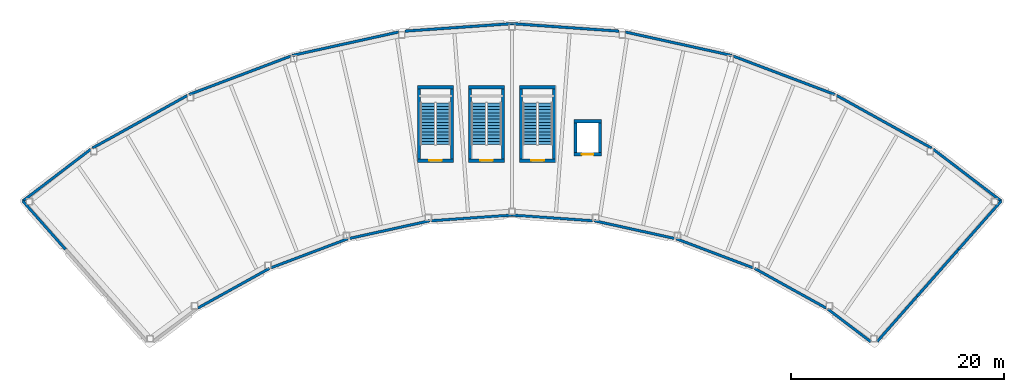
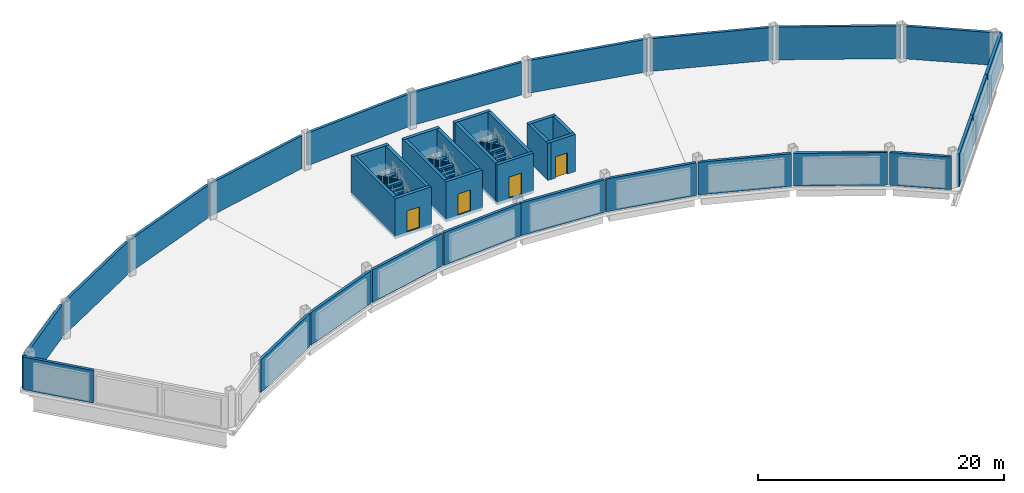
# One storey, part 4 of 5: 39 walls, 6 stair flights, 4 doors, 4 openings, 3 elements without a shape of their own.
"""IFC4 building model written with IfcOpenShell, lengths in metres."""

import ifcopenshell
import ifcopenshell.guid

model = None  # the IFC model being written
_history = None  # IfcOwnerHistory: only IFC2X3 demands one
_inside = {}  # id of a spatial element -> (the spatial element, [elements in it])
_under = {}  # id of a project, library or spatial element -> (it, [spatial elements below it])
_declared = {}  # id of a project -> (the project, [libraries it declares])
_typed = {}  # id of a type object -> (the type object, [elements of that type])
_made_of = {}  # id of a material, layer set ... -> (it, [elements and type objects made of it])


def new_model(schema):
    """Start an empty IFC model of exactly this schema.

    Asked for "IFC4X3", IfcOpenShell would pick the latest addendum, in which some entities
    have other attributes; the version numbers below select the first issue.
    IFC2X3 requires an IfcOwnerHistory on every rooted entity: one is made here for all.
    """
    global model, _history
    if schema == "IFC4X3":
        model = ifcopenshell.file(schema_version=(4, 3, 0, 0))
    else:
        model = ifcopenshell.file(schema=schema)
    _inside.clear()
    _under.clear()
    _declared.clear()
    _typed.clear()
    _made_of.clear()
    _history = None
    if model.schema == "IFC2X3":
        org = make("IfcOrganization", Name="unknown")
        user = make(
            "IfcPersonAndOrganization",
            ThePerson=make("IfcPerson", FamilyName="unknown"),
            TheOrganization=org,
        )
        app = make(
            "IfcApplication",
            ApplicationDeveloper=org,
            Version="unknown",
            ApplicationFullName="unknown",
            ApplicationIdentifier="unknown",
        )
        _history = make(
            "IfcOwnerHistory",
            OwningUser=user,
            OwningApplication=app,
            ChangeAction="ADDED",
            CreationDate=0,
        )
    return model


def make(cls, **values):
    """One entity of the class cls with the attributes given. An attribute that is None is left unset."""
    return model.create_entity(
        cls, **{name: value for name, value in values.items() if value is not None}
    )


def rooted(cls, **values):
    """An entity with a GlobalId (a new one), such as an element, a storey or a relation."""
    return make(cls, GlobalId=ifcopenshell.guid.new(), OwnerHistory=_history, **values)


def si_unit(unit_type, name, prefix=None):
    """IfcSIUnit, for example si_unit("LENGTHUNIT", "METRE", prefix="MILLI")."""
    return make("IfcSIUnit", UnitType=unit_type, Prefix=prefix, Name=name)


def assignment(units):
    """IfcUnitAssignment: the units of a project."""
    return None if units is None else make("IfcUnitAssignment", Units=units)


def point(xyz):
    """IfcCartesianPoint."""
    return None if xyz is None else make("IfcCartesianPoint", Coordinates=xyz)


def direction(xyz):
    """IfcDirection."""
    return None if xyz is None else make("IfcDirection", DirectionRatios=xyz)


def frame(location, z_axis=None, x_axis=None):
    """IfcAxis2Placement3D, a coordinate frame: its origin and axes. An axis left out is left unset."""
    return make(
        "IfcAxis2Placement3D",
        Location=point(location),
        Axis=direction(z_axis),
        RefDirection=direction(x_axis),
    )


def frame_2d(location, x_axis=None):
    """IfcAxis2Placement2D, a coordinate frame in the plane: its origin and x axis."""
    return make(
        "IfcAxis2Placement2D", Location=point(location), RefDirection=direction(x_axis)
    )


def origin():
    """The frame at (0, 0, 0) with its axes left unset."""
    return frame((0.0, 0.0, 0.0))


def place(relative_to, where):
    """IfcLocalPlacement: puts the frame where relative to a parent placement (None: the world)."""
    return make(
        "IfcLocalPlacement", PlacementRelTo=relative_to, RelativePlacement=where
    )


def context(
    kind, dimensions, precision=None, world=None, true_north=None, identifier=None
):
    """IfcGeometricRepresentationContext, for example the 3D "Model" context."""
    return make(
        "IfcGeometricRepresentationContext",
        ContextIdentifier=identifier,
        ContextType=kind,
        CoordinateSpaceDimension=dimensions,
        Precision=precision,
        WorldCoordinateSystem=world,
        TrueNorth=true_north,
    )


def subcontext(parent, identifier, kind, view, scale=None):
    """IfcGeometricRepresentationSubContext, for example "Body" below "Model"."""
    return make(
        "IfcGeometricRepresentationSubContext",
        ContextIdentifier=identifier,
        ContextType=kind,
        ParentContext=parent,
        TargetScale=scale,
        TargetView=view,
    )


def project(units=None, contexts=None):
    """IfcProject with its units and contexts."""
    return rooted(
        "IfcProject",
        Name="project",
        RepresentationContexts=contexts,
        UnitsInContext=assignment(units),
    )


def spatial(cls, under=None, at=None, **own):
    """A site, building, storey or space (cls), placed at a placement, below another one or the project."""
    s = rooted(cls, ObjectPlacement=at, **own)
    if under is not None:
        _under.setdefault(under.id(), (under, []))[1].append(s)
    return s


def polyline(points):
    """IfcPolyline through the points."""
    return make("IfcPolyline", Points=[point(p) for p in points])


def profile(cls, at=None, kind="AREA", **sizes):
    """A parametric profile (cls). Its sizes go by their IFC names, for example OverallWidth=200.0."""
    return make(cls, ProfileType=kind, Position=at, **sizes)


def rectangle(**sizes):
    """IfcRectangleProfileDef."""
    return profile("IfcRectangleProfileDef", **sizes)


def outline(outer, holes=None, kind="AREA"):
    """IfcArbitraryClosedProfileDef: a profile drawn as a closed curve; with holes, ...WithVoids."""
    if holes is None:
        return make("IfcArbitraryClosedProfileDef", ProfileType=kind, OuterCurve=outer)
    return make(
        "IfcArbitraryProfileDefWithVoids",
        ProfileType=kind,
        OuterCurve=outer,
        InnerCurves=holes,
    )


def extrude(swept, where, along, depth):
    """IfcExtrudedAreaSolid: the profile swept, set in the frame where, extruded along a direction by depth."""
    return make(
        "IfcExtrudedAreaSolid",
        SweptArea=swept,
        Position=where,
        ExtrudedDirection=direction(along),
        Depth=depth,
    )


def shape(context_of_items, identifier, shape_type, items):
    """IfcShapeRepresentation: the items that make up one representation, for example the "Body"."""
    return make(
        "IfcShapeRepresentation",
        ContextOfItems=context_of_items,
        RepresentationIdentifier=identifier,
        RepresentationType=shape_type,
        Items=items,
    )


def material(Name=None, Category=None):
    """IfcMaterial."""
    return make("IfcMaterial", Name=Name, Category=Category)


def layer(
    of_material, thickness, ventilated=None, Name=None, Category=None, Priority=None
):
    """IfcMaterialLayer: one layer of a wall or slab, of a material (None: an air gap)."""
    return make(
        "IfcMaterialLayer",
        Material=of_material,
        LayerThickness=thickness,
        IsVentilated=ventilated,
        Name=Name,
        Category=Category,
        Priority=Priority,
    )


def layer_set(layers, Name=None):
    """IfcMaterialLayerSet."""
    return make("IfcMaterialLayerSet", MaterialLayers=layers, LayerSetName=Name)


def made_of(thing, what):
    """Note that an element or type object is made of a material, layer set ...; save() writes the relation."""
    if what is not None:
        _made_of.setdefault(what.id(), (what, []))[1].append(thing)
    return thing


def type_object(cls, material=None, **own):
    """A type object (cls), such as IfcWallType, which elements share."""
    return made_of(rooted(cls, **own), material)


def element(
    cls,
    number,
    at=None,
    inside=None,
    cuts=None,
    type_object=None,
    material=None,
    context=None,
    identifier="Body",
    shape_type=None,
    held_by="IfcProductDefinitionShape",
    body=None,
    shapes=None,
    **own,
):
    """One element of the class cls, such as IfcWall. Its Tag is "e" and its number.

    at: its placement. inside: the storey or other place that contains it. cuts: it is an
    opening in that element (IfcRelVoidsElement). A single representation is given by context,
    identifier, shape_type and body (its items); several are given by shapes. held_by: the class
    of the entity that holds the representations. save() writes the other relations.
    """
    e = rooted(cls, Tag="e%d" % number, ObjectPlacement=at, **own)
    if body is not None:
        shapes = [shape(context, identifier, shape_type, body)]
    if shapes is not None:
        e.Representation = make(held_by, Representations=shapes)
    if inside is not None:
        _inside.setdefault(inside.id(), (inside, []))[1].append(e)
    if cuts is not None:
        rooted(
            "IfcRelVoidsElement", RelatingBuildingElement=cuts, RelatedOpeningElement=e
        )
    if type_object is not None:
        _typed.setdefault(type_object.id(), (type_object, []))[1].append(e)
    return made_of(e, material)


def fill(opening, filler):
    """IfcRelFillsElement: the door or window that sits in an opening."""
    return rooted(
        "IfcRelFillsElement",
        RelatingOpeningElement=opening,
        RelatedBuildingElement=filler,
    )


def aggregate(whole, parts):
    """IfcRelAggregates: a whole, such as a stair, and the parts it consists of."""
    return rooted("IfcRelAggregates", RelatingObject=whole, RelatedObjects=parts)


def save(model, path):
    """Write the relations noted so far, then the file.

    IfcRelAggregates (storeys below a building ...), IfcRelContainedInSpatialStructure (elements
    in a storey), IfcRelDefinesByType, IfcRelAssociatesMaterial and IfcRelDeclares: one each for
    every whole, place, type object, material and project.
    """
    for whole, parts in _under.values():
        aggregate(whole, parts)
    for where, things in _inside.values():
        rooted(
            "IfcRelContainedInSpatialStructure",
            RelatedElements=things,
            RelatingStructure=where,
        )
    for kind, things in _typed.values():
        rooted("IfcRelDefinesByType", RelatedObjects=things, RelatingType=kind)
    for what, things in _made_of.values():
        rooted("IfcRelAssociatesMaterial", RelatedObjects=things, RelatingMaterial=what)
    for by, libraries in _declared.values():
        rooted("IfcRelDeclares", RelatingContext=by, RelatedDefinitions=libraries)
    model.write(path)


model = new_model("IFC4")

# Units and contexts
model_context = context("Model", 3, precision=1e-05, world=origin(), true_north=direction((0.0, 1.0)))
body_context = subcontext(model_context, "Body", "Model", "MODEL_VIEW")
ifc_project = project(units=[si_unit("LENGTHUNIT", "METRE"), si_unit("AREAUNIT", "SQUARE_METRE"), si_unit("VOLUMEUNIT", "CUBIC_METRE"), si_unit("PLANEANGLEUNIT", "RADIAN"), si_unit("MASSUNIT", "GRAM", prefix="KILO")], contexts=[model_context])

# Site, building, storey
site_placement = place(None, origin())
site = spatial("IfcSite", under=ifc_project, at=site_placement, CompositionType="ELEMENT")
building_placement = place(site_placement, origin())
building = spatial("IfcBuilding", under=site, at=building_placement, Name="Tuul Gate Civic Tower", CompositionType="ELEMENT")
storey_placement = place(building_placement, frame((0.0, 0.0, 364.10009765625)))
storey = spatial("IfcBuildingStorey", under=building, at=storey_placement, Name="Crown tier 1 upper", CompositionType="ELEMENT", Elevation=364.10009765625)

# Walls
ifc_material_1 = material(Name="Concrete C50/60", Category="concrete")
ifc_layer_1 = layer(ifc_material_1, 0.300048828125)
ifc_layer_set_1 = layer_set([ifc_layer_1], Name="Concrete C50/60")
wall_type_1 = type_object("IfcWallType", Name="Core wall C50/60", PredefinedType="SHEAR", material=ifc_layer_set_1)
for number, where, z_axis, x_axis, name in (
    (1, (-3.449951171875, -0.89990234375, -0.300048828125), (0.0, 0.0, 1.0), (0.0, 1.0, 0.0), "Core wall"),
    (2, (-6.550048828125, 6.300048828125, -0.300048828125), (0.0, 0.0, 1.0), (0.0, -1.0, 0.0), "Core wall"),
):
    element("IfcWall", number, at=place(storey_placement, frame(where, z_axis=z_axis, x_axis=x_axis)), inside=storey, type_object=wall_type_1, Name=name, PredefinedType="SHEAR", context=body_context, shape_type="SweptSolid", body=[
        extrude(rectangle(XDim=7.199951171875, YDim=0.300048828125, at=frame_2d((3.60009765625, 0.0))), origin(), (0.0, 0.0, 1.0), 4.0),
    ])
wall_1_placement = place(storey_placement, frame((-3.300048828125, 6.14990234375, -0.300048828125), z_axis=(0.0, 0.0, 1.0), x_axis=(-1.0, 0.0, 0.0)))
element("IfcWall", 3, at=wall_1_placement, inside=storey, type_object=wall_type_1, Name="Core wall", PredefinedType="SHEAR", context=body_context, shape_type="SweptSolid", body=[
    extrude(rectangle(XDim=3.39990234375, YDim=0.300048828125, at=frame_2d((1.699951171875, 0.0))), origin(), (0.0, 0.0, 1.0), 4.0),
])

# Wall, opening, door
wall_2_placement = place(storey_placement, frame((-3.300048828125, -0.75, -0.300048828125), z_axis=(0.0, 0.0, 1.0), x_axis=(-1.0, 0.0, 0.0)))
wall_2 = element("IfcWall", 4, at=wall_2_placement, inside=storey, type_object=wall_type_1, Name="Core wall", PredefinedType="SHEAR", context=body_context, shape_type="SweptSolid", body=[
    extrude(rectangle(XDim=3.39990234375, YDim=0.300048828125, at=frame_2d((1.699951171875, 0.0))), origin(), (0.0, 0.0, 1.0), 4.0),
])
opening_1_placement = place(wall_2_placement, frame((1.10009765625, 0.0, 0.300048828125)))
opening_1 = element("IfcOpeningElement", 5, at=opening_1_placement, cuts=wall_2, Name="Opening SD-ST-5", PredefinedType="OPENING", context=body_context, shape_type="SweptSolid", body=[
    extrude(rectangle(XDim=1.199951171875, YDim=2.10009765625, at=frame_2d((0.60009765625, 1.050048828125))), frame((0.0, 0.16015625, 0.0), z_axis=(0.0, -1.0, 0.0), x_axis=(1.0, 0.0, 0.0)), (0.0, 0.0, 1.0), 0.320068359375),
])
ifc_material_2 = material(Name="Steel", Category="steel")
door_type_1 = type_object("IfcDoorType", Name="Stair door", OperationType="NOTDEFINED", PredefinedType="DOOR", material=ifc_material_2)
door_1_placement = place(opening_1_placement, origin())
door_1 = element("IfcDoor", 6, at=door_1_placement, inside=storey, type_object=door_type_1, Name="Stair door ST-5", OperationType="SINGLE_SWING_LEFT", OverallHeight=2.10009765625, OverallWidth=1.199951171875, PredefinedType="DOOR", context=body_context, shape_type="SweptSolid", body=[
    extrude(rectangle(XDim=1.199951171875, YDim=2.10009765625, at=frame_2d((0.60009765625, 1.050048828125))), frame((0.0, 0.02490234375, 0.0), z_axis=(0.0, -1.0, 0.0), x_axis=(1.0, 0.0, 0.0)), (0.0, 0.0, 1.0), 0.050048828125),
])
fill(opening_1, door_1)

# Walls
for number, where, z_axis, x_axis, name in (
    (7, (1.35009765625, -0.89990234375, -0.300048828125), (0.0, 0.0, 1.0), (0.0, 1.0, 0.0), "Core wall"),
    (8, (-1.75, 6.300048828125, -0.300048828125), (0.0, 0.0, 1.0), (0.0, -1.0, 0.0), "Core wall"),
):
    element("IfcWall", number, at=place(storey_placement, frame(where, z_axis=z_axis, x_axis=x_axis)), inside=storey, type_object=wall_type_1, Name=name, PredefinedType="SHEAR", context=body_context, shape_type="SweptSolid", body=[
        extrude(rectangle(XDim=7.199951171875, YDim=0.300048828125, at=frame_2d((3.60009765625, 0.0))), origin(), (0.0, 0.0, 1.0), 4.0),
    ])
wall_3_placement = place(storey_placement, frame((1.5, 6.14990234375, -0.300048828125), z_axis=(0.0, 0.0, 1.0), x_axis=(-1.0, 0.0, 0.0)))
element("IfcWall", 9, at=wall_3_placement, inside=storey, type_object=wall_type_1, Name="Core wall", PredefinedType="SHEAR", context=body_context, shape_type="SweptSolid", body=[
    extrude(rectangle(XDim=3.39990234375, YDim=0.300048828125, at=frame_2d((1.699951171875, 0.0))), origin(), (0.0, 0.0, 1.0), 4.0),
])

# Wall, opening, door
wall_4_placement = place(storey_placement, frame((1.5, -0.75, -0.300048828125), z_axis=(0.0, 0.0, 1.0), x_axis=(-1.0, 0.0, 0.0)))
wall_4 = element("IfcWall", 10, at=wall_4_placement, inside=storey, type_object=wall_type_1, Name="Core wall", PredefinedType="SHEAR", context=body_context, shape_type="SweptSolid", body=[
    extrude(rectangle(XDim=3.39990234375, YDim=0.300048828125, at=frame_2d((1.699951171875, 0.0))), origin(), (0.0, 0.0, 1.0), 4.0),
])
opening_2_placement = place(wall_4_placement, frame((1.10009765625, 0.0, 0.300048828125)))
opening_2 = element("IfcOpeningElement", 11, at=opening_2_placement, cuts=wall_4, Name="Opening SD-ST-6", PredefinedType="OPENING", context=body_context, shape_type="SweptSolid", body=[
    extrude(rectangle(XDim=1.199951171875, YDim=2.10009765625, at=frame_2d((0.60009765625, 1.050048828125))), frame((0.0, 0.16015625, 0.0), z_axis=(0.0, -1.0, 0.0), x_axis=(1.0, 0.0, 0.0)), (0.0, 0.0, 1.0), 0.320068359375),
])
door_2_placement = place(opening_2_placement, origin())
door_2 = element("IfcDoor", 12, at=door_2_placement, inside=storey, type_object=door_type_1, Name="Stair door ST-6", OperationType="SINGLE_SWING_LEFT", OverallHeight=2.10009765625, OverallWidth=1.199951171875, PredefinedType="DOOR", context=body_context, shape_type="SweptSolid", body=[
    extrude(rectangle(XDim=1.199951171875, YDim=2.10009765625, at=frame_2d((0.60009765625, 1.050048828125))), frame((0.0, 0.02490234375, 0.0), z_axis=(0.0, -1.0, 0.0), x_axis=(1.0, 0.0, 0.0)), (0.0, 0.0, 1.0), 0.050048828125),
])
fill(opening_2, door_2)

# Walls
for number, where, z_axis, x_axis, name in (
    (13, (6.14990234375, -0.89990234375, -0.300048828125), (0.0, 0.0, 1.0), (0.0, 1.0, 0.0), "Core wall"),
    (14, (3.050048828125, 6.300048828125, -0.300048828125), (0.0, 0.0, 1.0), (0.0, -1.0, 0.0), "Core wall"),
):
    element("IfcWall", number, at=place(storey_placement, frame(where, z_axis=z_axis, x_axis=x_axis)), inside=storey, type_object=wall_type_1, Name=name, PredefinedType="SHEAR", context=body_context, shape_type="SweptSolid", body=[
        extrude(rectangle(XDim=7.199951171875, YDim=0.300048828125, at=frame_2d((3.60009765625, 0.0))), origin(), (0.0, 0.0, 1.0), 4.0),
    ])
wall_5_placement = place(storey_placement, frame((6.300048828125, 6.14990234375, -0.300048828125), z_axis=(0.0, 0.0, 1.0), x_axis=(-1.0, 0.0, 0.0)))
element("IfcWall", 15, at=wall_5_placement, inside=storey, type_object=wall_type_1, Name="Core wall", PredefinedType="SHEAR", context=body_context, shape_type="SweptSolid", body=[
    extrude(rectangle(XDim=3.400146484375, YDim=0.300048828125, at=frame_2d((1.7001953125, 0.0))), origin(), (0.0, 0.0, 1.0), 4.0),
])

# Wall, opening, door
wall_6_placement = place(storey_placement, frame((6.300048828125, -0.75, -0.300048828125), z_axis=(0.0, 0.0, 1.0), x_axis=(-1.0, 0.0, 0.0)))
wall_6 = element("IfcWall", 16, at=wall_6_placement, inside=storey, type_object=wall_type_1, Name="Core wall", PredefinedType="SHEAR", context=body_context, shape_type="SweptSolid", body=[
    extrude(rectangle(XDim=3.400146484375, YDim=0.300048828125, at=frame_2d((1.7001953125, 0.0))), origin(), (0.0, 0.0, 1.0), 4.0),
])
opening_3_placement = place(wall_6_placement, frame((1.10009765625, 0.0, 0.300048828125)))
opening_3 = element("IfcOpeningElement", 17, at=opening_3_placement, cuts=wall_6, Name="Opening SD-ST-7", PredefinedType="OPENING", context=body_context, shape_type="SweptSolid", body=[
    extrude(rectangle(XDim=1.199951171875, YDim=2.10009765625, at=frame_2d((0.60009765625, 1.050048828125))), frame((0.0, 0.16015625, 0.0), z_axis=(0.0, -1.0, 0.0), x_axis=(1.0, 0.0, 0.0)), (0.0, 0.0, 1.0), 0.320068359375),
])
door_3_placement = place(opening_3_placement, origin())
door_3 = element("IfcDoor", 18, at=door_3_placement, inside=storey, type_object=door_type_1, Name="Stair door ST-7", OperationType="SINGLE_SWING_LEFT", OverallHeight=2.10009765625, OverallWidth=1.199951171875, PredefinedType="DOOR", context=body_context, shape_type="SweptSolid", body=[
    extrude(rectangle(XDim=1.199951171875, YDim=2.10009765625, at=frame_2d((0.60009765625, 1.050048828125))), frame((0.0, 0.02490234375, 0.0), z_axis=(0.0, -1.0, 0.0), x_axis=(1.0, 0.0, 0.0)), (0.0, 0.0, 1.0), 0.050048828125),
])
fill(opening_3, door_3)

# Walls
for number, where, z_axis, x_axis, name in (
    (19, (10.449951171875, -0.300048828125, 0.0), (0.0, 0.0, 1.0), (0.0, 1.0, 0.0), "Core wall"),
    (20, (8.14990234375, 3.10009765625, 0.0), (0.0, 0.0, 1.0), (0.0, -1.0, 0.0), "Core wall"),
):
    element("IfcWall", number, at=place(storey_placement, frame(where, z_axis=z_axis, x_axis=x_axis)), inside=storey, type_object=wall_type_1, Name=name, PredefinedType="SHEAR", context=body_context, shape_type="SweptSolid", body=[
        extrude(rectangle(XDim=3.400146484375, YDim=0.300048828125, at=frame_2d((1.7001953125, 0.0))), origin(), (0.0, 0.0, 1.0), 3.699951171875),
    ])
wall_7_placement = place(storey_placement, frame((10.60009765625, 2.949951171875, 0.0), z_axis=(0.0, 0.0, 1.0), x_axis=(-1.0, 0.0, 0.0)))
element("IfcWall", 21, at=wall_7_placement, inside=storey, type_object=wall_type_1, Name="Core wall", PredefinedType="SHEAR", context=body_context, shape_type="SweptSolid", body=[
    extrude(rectangle(XDim=2.60009765625, YDim=0.300048828125, at=frame_2d((1.300048828125, 0.0))), origin(), (0.0, 0.0, 1.0), 3.699951171875),
])

# Wall, opening, door
wall_8_placement = place(storey_placement, frame((10.60009765625, -0.14990234375, 0.0), z_axis=(0.0, 0.0, 1.0), x_axis=(-1.0, 0.0, 0.0)))
wall_8 = element("IfcWall", 22, at=wall_8_placement, inside=storey, type_object=wall_type_1, Name="Core wall", PredefinedType="SHEAR", context=body_context, shape_type="SweptSolid", body=[
    extrude(rectangle(XDim=2.60009765625, YDim=0.300048828125, at=frame_2d((1.300048828125, 0.0))), origin(), (0.0, 0.0, 1.0), 3.699951171875),
])
opening_4_placement = place(wall_8_placement, frame((0.75, 0.0, 0.0)))
opening_4 = element("IfcOpeningElement", 23, at=opening_4_placement, cuts=wall_8, Name="Opening LD-X4", PredefinedType="OPENING", context=body_context, shape_type="SweptSolid", body=[
    extrude(rectangle(XDim=1.10009765625, YDim=2.10009765625, at=frame_2d((0.550048828125, 1.050048828125))), frame((0.0, 0.16015625, 0.0), z_axis=(0.0, -1.0, 0.0), x_axis=(1.0, 0.0, 0.0)), (0.0, 0.0, 1.0), 0.320068359375),
])
ifc_material_3 = material(Name="Stainless steel", Category="steel")
door_type_2 = type_object("IfcDoorType", Name="Landing door", OperationType="DOUBLE_DOOR_SLIDING", PredefinedType="DOOR", material=ifc_material_3)
door_4_placement = place(opening_4_placement, origin())
door_4 = element("IfcDoor", 24, at=door_4_placement, inside=storey, type_object=door_type_2, Name="Crown lift X4 landing door", OperationType="DOUBLE_DOOR_SLIDING", OverallHeight=2.10009765625, OverallWidth=1.10009765625, PredefinedType="DOOR", context=body_context, shape_type="SweptSolid", body=[
    extrude(rectangle(XDim=1.10009765625, YDim=2.10009765625, at=frame_2d((0.550048828125, 1.050048828125))), frame((0.0, 0.02490234375, 0.0), z_axis=(0.0, -1.0, 0.0), x_axis=(1.0, 0.0, 0.0)), (0.0, 0.0, 1.0), 0.050048828125),
])
fill(opening_4, door_4)

# Walls
ifc_material_4 = material(Name="Precast concrete C40/50", Category="concrete")
ifc_layer_2 = layer(ifc_material_4, 0.25)
ifc_layer_set_2 = layer_set([ifc_layer_2], Name="Precast concrete C40/50")
wall_type_2 = type_object("IfcWallType", Name="External wall", PredefinedType="STANDARD", material=ifc_layer_set_2)
wall_9_placement = place(storey_placement, frame((48.163818359375, -4.540283203125, 0.0), z_axis=(0.0, 0.0, 1.0), x_axis=(-0.795621506861, 0.605794039109, 0.0)))
element("IfcWall", 25, at=wall_9_placement, inside=storey, type_object=wall_type_2, Name="External wall", PredefinedType="STANDARD", context=body_context, shape_type="SweptSolid", body=[
    extrude(rectangle(XDim=8.0009765625, YDim=0.25, at=frame_2d((4.00048828125, 0.0))), origin(), (0.0, 0.0, 1.0), 3.25),
])
wall_10_placement = place(storey_placement, frame((41.6279296875, 0.426025390625, 0.0), z_axis=(0.0, 0.0, 1.0), x_axis=(-0.874631379668, 0.484788561849, 0.0)))
element("IfcWall", 26, at=wall_10_placement, inside=storey, type_object=wall_type_2, Name="External wall", PredefinedType="STANDARD", context=body_context, shape_type="SweptSolid", body=[
    extrude(rectangle(XDim=10.19287109375, YDim=0.25, at=frame_2d((5.096435546875, 0.0))), origin(), (0.0, 0.0, 1.0), 3.25),
])
wall_11_placement = place(storey_placement, frame((32.53955078125, 5.4619140625, 0.0), z_axis=(0.0, 0.0, 1.0), x_axis=(-0.935359879896, 0.353697462643, 0.0)))
element("IfcWall", 27, at=wall_11_placement, inside=storey, type_object=wall_type_2, Name="External wall", PredefinedType="STANDARD", context=body_context, shape_type="SweptSolid", body=[
    extrude(rectangle(XDim=10.201904296875, YDim=0.25, at=frame_2d((5.10107421875, 0.0))), origin(), (0.0, 0.0, 1.0), 3.25),
])
wall_12_placement = place(storey_placement, frame((22.84765625, 9.135986328125, 0.0), z_axis=(0.0, 0.0, 1.0), x_axis=(-0.976555490339, 0.21526582239, 0.0)))
element("IfcWall", 28, at=wall_12_placement, inside=storey, type_object=wall_type_2, Name="External wall", PredefinedType="STANDARD", context=body_context, shape_type="SweptSolid", body=[
    extrude(rectangle(XDim=10.235595703125, YDim=0.25, at=frame_2d((5.11767578125, 0.0))), origin(), (0.0, 0.0, 1.0), 3.25),
])
for number, where, z_axis, x_axis, name in (
    (29, (12.25537109375, 11.419921875, 0.0), (0.0, 0.0, 1.0), (-0.997546138444, 0.070012153773, 0.0), "External wall"),
    (30, (2.19189453125, 12.126220703125, 0.0), (0.0, 0.0, 1.0), (-0.997546138444, -0.070012153773, 0.0), "External wall"),
):
    element("IfcWall", number, at=place(storey_placement, frame(where, z_axis=z_axis, x_axis=x_axis)), inside=storey, type_object=wall_type_2, Name=name, PredefinedType="STANDARD", context=body_context, shape_type="SweptSolid", body=[
        extrude(rectangle(XDim=10.088134765625, YDim=0.25, at=frame_2d((5.0439453125, 0.0))), origin(), (0.0, 0.0, 1.0), 3.25),
    ])
wall_13_placement = place(storey_placement, frame((-8.468017578125, 11.33935546875, 0.0), z_axis=(0.0, 0.0, 1.0), x_axis=(-0.976555490339, -0.21526582239, 0.0)))
element("IfcWall", 31, at=wall_13_placement, inside=storey, type_object=wall_type_2, Name="External wall", PredefinedType="STANDARD", context=body_context, shape_type="SweptSolid", body=[
    extrude(rectangle(XDim=10.235595703125, YDim=0.25, at=frame_2d((5.11767578125, 0.0))), origin(), (0.0, 0.0, 1.0), 3.25),
])
wall_14_placement = place(storey_placement, frame((-18.613037109375, 9.0703125, 0.0), z_axis=(0.0, 0.0, 1.0), x_axis=(-0.935359879896, -0.353697462643, 0.0)))
element("IfcWall", 32, at=wall_14_placement, inside=storey, type_object=wall_type_2, Name="External wall", PredefinedType="STANDARD", context=body_context, shape_type="SweptSolid", body=[
    extrude(rectangle(XDim=10.201904296875, YDim=0.25, at=frame_2d((5.10107421875, 0.0))), origin(), (0.0, 0.0, 1.0), 3.25),
])
wall_15_placement = place(storey_placement, frame((-28.3291015625, 5.367431640625, 0.0), z_axis=(0.0, 0.0, 1.0), x_axis=(-0.874625750292, -0.484798717949, 0.0)))
element("IfcWall", 33, at=wall_15_placement, inside=storey, type_object=wall_type_2, Name="External wall", PredefinedType="STANDARD", context=body_context, shape_type="SweptSolid", body=[
    extrude(rectangle(XDim=10.192626953125, YDim=0.25, at=frame_2d((5.09619140625, 0.0))), origin(), (0.0, 0.0, 1.0), 3.25),
])
wall_16_placement = place(storey_placement, frame((-37.4140625, 0.306640625, 0.0), z_axis=(0.0, 0.0, 1.0), x_axis=(-0.795621506861, -0.605794039109, 0.0)))
element("IfcWall", 34, at=wall_16_placement, inside=storey, type_object=wall_type_2, Name="External wall", PredefinedType="STANDARD", context=body_context, shape_type="SweptSolid", body=[
    extrude(rectangle(XDim=8.0009765625, YDim=0.25, at=frame_2d((4.00048828125, 0.0))), origin(), (0.0, 0.0, 1.0), 3.25),
])
wall_17_placement = place(storey_placement, frame((-43.77978515625, -4.540283203125, 0.0), z_axis=(0.0, 0.0, 1.0), x_axis=(0.661693466009, -0.749774470785, 0.0)))
element("IfcWall", 35, at=wall_17_placement, inside=storey, type_object=wall_type_2, Name="External wall", PredefinedType="STANDARD", context=body_context, shape_type="SweptSolid", body=[
    extrude(rectangle(XDim=6.070068359375, YDim=0.25, at=frame_2d((3.03515625, 0.0))), origin(), (0.0, 0.0, 1.0), 3.25),
])
wall_18_placement = place(storey_placement, frame((-27.3310546875, -14.602783203125, 0.0), z_axis=(0.0, 0.0, 1.0), x_axis=(0.874628746647, 0.484793312185, 0.0)))
element("IfcWall", 36, at=wall_18_placement, inside=storey, type_object=wall_type_2, Name="External wall", PredefinedType="STANDARD", context=body_context, shape_type="SweptSolid", body=[
    extrude(rectangle(XDim=7.6875, YDim=0.25, at=frame_2d((3.84375, 0.0))), origin(), (0.0, 0.0, 1.0), 3.25),
])
wall_19_placement = place(storey_placement, frame((-20.43798828125, -10.810791015625, 0.0), z_axis=(0.0, 0.0, 1.0), x_axis=(0.935334769869, 0.35376385948, 0.0)))
element("IfcWall", 37, at=wall_19_placement, inside=storey, type_object=wall_type_2, Name="External wall", PredefinedType="STANDARD", context=body_context, shape_type="SweptSolid", body=[
    extrude(rectangle(XDim=7.697021484375, YDim=0.25, at=frame_2d((3.8486328125, 0.0))), origin(), (0.0, 0.0, 1.0), 3.25),
])
wall_20_placement = place(storey_placement, frame((-13.06591796875, -8.055419921875, 0.0), z_axis=(0.0, 0.0, 1.0), x_axis=(0.976569773222, 0.215201017724, 0.0)))
element("IfcWall", 38, at=wall_20_placement, inside=storey, type_object=wall_type_2, Name="External wall", PredefinedType="STANDARD", context=body_context, shape_type="SweptSolid", body=[
    extrude(rectangle(XDim=7.729248046875, YDim=0.25, at=frame_2d((3.86474609375, 0.0))), origin(), (0.0, 0.0, 1.0), 3.25),
])
wall_21_placement = place(storey_placement, frame((-5.35986328125, -6.39599609375, 0.0), z_axis=(0.0, 0.0, 1.0), x_axis=(0.997584153178, 0.069468390856, 0.0)))
element("IfcWall", 39, at=wall_21_placement, inside=storey, type_object=wall_type_2, Name="External wall", PredefinedType="STANDARD", context=body_context, shape_type="SweptSolid", body=[
    extrude(rectangle(XDim=7.570068359375, YDim=0.25, at=frame_2d((3.78515625, 0.0))), origin(), (0.0, 0.0, 1.0), 3.25),
])
wall_22_placement = place(storey_placement, frame((2.19189453125, -5.8701171875, 0.0), z_axis=(0.0, 0.0, 1.0), x_axis=(0.997584308809, -0.069466155923, 0.0)))
element("IfcWall", 40, at=wall_22_placement, inside=storey, type_object=wall_type_2, Name="External wall", PredefinedType="STANDARD", context=body_context, shape_type="SweptSolid", body=[
    extrude(rectangle(XDim=7.5703125, YDim=0.25, at=frame_2d((3.78515625, 0.0))), origin(), (0.0, 0.0, 1.0), 3.25),
])
wall_23_placement = place(storey_placement, frame((9.90185546875, -6.39208984375, 0.0), z_axis=(0.0, 0.0, 1.0), x_axis=(0.976569773222, -0.215201017724, 0.0)))
element("IfcWall", 41, at=wall_23_placement, inside=storey, type_object=wall_type_2, Name="External wall", PredefinedType="STANDARD", context=body_context, shape_type="SweptSolid", body=[
    extrude(rectangle(XDim=7.729248046875, YDim=0.25, at=frame_2d((3.86474609375, 0.0))), origin(), (0.0, 0.0, 1.0), 3.25),
])
wall_24_placement = place(storey_placement, frame((17.622802734375, -8.087890625, 0.0), z_axis=(0.0, 0.0, 1.0), x_axis=(0.935334769869, -0.35376385948, 0.0)))
element("IfcWall", 42, at=wall_24_placement, inside=storey, type_object=wall_type_2, Name="External wall", PredefinedType="STANDARD", context=body_context, shape_type="SweptSolid", body=[
    extrude(rectangle(XDim=7.697021484375, YDim=0.25, at=frame_2d((3.8486328125, 0.0))), origin(), (0.0, 0.0, 1.0), 3.25),
])
wall_25_placement = place(storey_placement, frame((24.991455078125, -10.8759765625, 0.0), z_axis=(0.0, 0.0, 1.0), x_axis=(0.874628746647, -0.484793312185, 0.0)))
element("IfcWall", 43, at=wall_25_placement, inside=storey, type_object=wall_type_2, Name="External wall", PredefinedType="STANDARD", context=body_context, shape_type="SweptSolid", body=[
    extrude(rectangle(XDim=7.6875, YDim=0.25, at=frame_2d((3.84375, 0.0))), origin(), (0.0, 0.0, 1.0), 3.25),
])
wall_26_placement = place(storey_placement, frame((31.871826171875, -14.697021484375, 0.0), z_axis=(0.0, 0.0, 1.0), x_axis=(0.795657442304, -0.605746840278, 0.0)))
element("IfcWall", 44, at=wall_26_placement, inside=storey, type_object=wall_type_2, Name="External wall", PredefinedType="STANDARD", context=body_context, shape_type="SweptSolid", body=[
    extrude(rectangle(XDim=5.063720703125, YDim=0.25, at=frame_2d((2.53173828125, 0.0))), origin(), (0.0, 0.0, 1.0), 3.25),
])
wall_27_placement = place(storey_placement, frame((36.5009765625, -17.756103515625, 0.0), z_axis=(0.0, 0.0, 1.0), x_axis=(0.661694213402, 0.749773811193, 0.0)))
element("IfcWall", 45, at=wall_27_placement, inside=storey, type_object=wall_type_2, Name="External wall", PredefinedType="STANDARD", context=body_context, shape_type="SweptSolid", body=[
    extrude(rectangle(XDim=5.673828125, YDim=0.25, at=frame_2d((2.8369140625, 0.0))), origin(), (0.0, 0.0, 1.0), 3.25),
])
wall_28_placement = place(storey_placement, frame((40.25537109375, -13.501953125, 0.0), z_axis=(0.0, 0.0, 1.0), x_axis=(0.661651837628, 0.749811206747, 0.0)))
element("IfcWall", 46, at=wall_28_placement, inside=storey, type_object=wall_type_2, Name="External wall", PredefinedType="STANDARD", context=body_context, shape_type="SweptSolid", body=[
    extrude(rectangle(XDim=5.882080078125, YDim=0.25, at=frame_2d((2.94091796875, 0.0))), origin(), (0.0, 0.0, 1.0), 3.25),
])
wall_29_placement = place(storey_placement, frame((44.147216796875, -9.091552734375, 0.0), z_axis=(0.0, 0.0, 1.0), x_axis=(0.661693466009, 0.749774470785, 0.0)))
element("IfcWall", 47, at=wall_29_placement, inside=storey, type_object=wall_type_2, Name="External wall", PredefinedType="STANDARD", context=body_context, shape_type="SweptSolid", body=[
    extrude(rectangle(XDim=6.070068359375, YDim=0.25, at=frame_2d((3.03515625, 0.0))), origin(), (0.0, 0.0, 1.0), 3.25),
])

# Stair, stair flights
ifc_material_5 = material(Name="Concrete C40/50", Category="concrete")
stair_type = type_object("IfcStairType", Name="Exit stair", PredefinedType="HALF_TURN_STAIR", material=ifc_material_5)
stair_1_placement = place(storey_placement, origin())
stair_1 = element("IfcStair", 48, at=stair_1_placement, inside=storey, type_object=stair_type, Name="Crown tier 1 upper ST-5", PredefinedType="HALF_TURN_STAIR")
ifc_material_6 = material(Name="Concrete C40/50", Category="concrete")
stair_flight_type = type_object("IfcStairFlightType", Name="Exit stair flight", PredefinedType="STRAIGHT", material=ifc_material_6)
stair_flight_1_placement = place(storey_placement, frame((-4.27490234375, 0.75, 0.0), z_axis=(0.0, 0.0, 1.0), x_axis=(0.0, 1.0, 0.0)))
stair_flight_1 = element("IfcStairFlight", 49, at=stair_flight_1_placement, type_object=stair_flight_type, Name="ST-5 flight 1", NumberOfRisers=14, NumberOfTreads=13, PredefinedType="STRAIGHT", RiserHeight=0.142857143, TreadLength=0.3, context=body_context, shape_type="SweptSolid", body=[
    extrude(outline(polyline([(0.0, 0.0), (0.0, 0.142822265625), (0.300048828125, 0.142822265625), (0.300048828125, 0.28564453125), (0.60009765625, 0.28564453125), (0.60009765625, 0.428466796875), (0.89990234375, 0.428466796875), (0.89990234375, 0.571533203125), (1.199951171875, 0.571533203125), (1.199951171875, 0.71435546875), (1.5, 0.71435546875), (1.5, 0.857177734375), (1.800048828125, 0.857177734375), (1.800048828125, 1.0), (2.10009765625, 1.0), (2.10009765625, 1.142822265625), (2.39990234375, 1.142822265625), (2.39990234375, 1.28564453125), (2.699951171875, 1.28564453125), (2.699951171875, 1.428466796875), (3.0, 1.428466796875), (3.0, 1.571533203125), (3.300048828125, 1.571533203125), (3.300048828125, 1.71435546875), (3.60009765625, 1.71435546875), (3.60009765625, 1.857177734375), (3.89990234375, 1.857177734375), (3.89990234375, 2.0), (3.89990234375, 1.691162109375), (0.3486328125, 0.0), (0.0, 0.0)])), frame((0.0, 0.675048828125, 0.0), z_axis=(0.0, -1.0, 0.0), x_axis=(1.0, 0.0, 0.0)), (0.0, 0.0, 1.0), 1.35009765625),
])
stair_flight_2_placement = place(storey_placement, frame((-5.72509765625, 4.64990234375, 2.0), z_axis=(0.0, 0.0, 1.0), x_axis=(0.0, -1.0, 0.0)))
stair_flight_2 = element("IfcStairFlight", 50, at=stair_flight_2_placement, type_object=stair_flight_type, Name="ST-5 flight 2", NumberOfRisers=14, NumberOfTreads=13, PredefinedType="STRAIGHT", RiserHeight=0.142857143, TreadLength=0.3, context=body_context, shape_type="SweptSolid", body=[
    extrude(outline(polyline([(0.0, 0.0), (0.0, 0.142822265625), (0.300048828125, 0.142822265625), (0.300048828125, 0.28564453125), (0.60009765625, 0.28564453125), (0.60009765625, 0.428466796875), (0.89990234375, 0.428466796875), (0.89990234375, 0.571533203125), (1.199951171875, 0.571533203125), (1.199951171875, 0.71435546875), (1.5, 0.71435546875), (1.5, 0.857177734375), (1.800048828125, 0.857177734375), (1.800048828125, 1.0), (2.10009765625, 1.0), (2.10009765625, 1.142822265625), (2.39990234375, 1.142822265625), (2.39990234375, 1.28564453125), (2.699951171875, 1.28564453125), (2.699951171875, 1.428466796875), (3.0, 1.428466796875), (3.0, 1.571533203125), (3.300048828125, 1.571533203125), (3.300048828125, 1.71435546875), (3.60009765625, 1.71435546875), (3.60009765625, 1.857177734375), (3.89990234375, 1.857177734375), (3.89990234375, 2.0), (3.89990234375, 1.691162109375), (0.3486328125, 0.0), (0.0, 0.0)])), frame((0.0, 0.675048828125, 0.0), z_axis=(0.0, -1.0, 0.0), x_axis=(1.0, 0.0, 0.0)), (0.0, 0.0, 1.0), 1.35009765625),
])
aggregate(stair_1, [stair_flight_1, stair_flight_2])

stair_2_placement = place(storey_placement, origin())
stair_2 = element("IfcStair", 51, at=stair_2_placement, inside=storey, type_object=stair_type, Name="Crown tier 1 upper ST-6", PredefinedType="HALF_TURN_STAIR")
stair_flight_3_placement = place(storey_placement, frame((0.52490234375, 0.75, 0.0), z_axis=(0.0, 0.0, 1.0), x_axis=(0.0, 1.0, 0.0)))
stair_flight_3 = element("IfcStairFlight", 52, at=stair_flight_3_placement, type_object=stair_flight_type, Name="ST-6 flight 1", NumberOfRisers=14, NumberOfTreads=13, PredefinedType="STRAIGHT", RiserHeight=0.142857143, TreadLength=0.3, context=body_context, shape_type="SweptSolid", body=[
    extrude(outline(polyline([(0.0, 0.0), (0.0, 0.142822265625), (0.300048828125, 0.142822265625), (0.300048828125, 0.28564453125), (0.60009765625, 0.28564453125), (0.60009765625, 0.428466796875), (0.89990234375, 0.428466796875), (0.89990234375, 0.571533203125), (1.199951171875, 0.571533203125), (1.199951171875, 0.71435546875), (1.5, 0.71435546875), (1.5, 0.857177734375), (1.800048828125, 0.857177734375), (1.800048828125, 1.0), (2.10009765625, 1.0), (2.10009765625, 1.142822265625), (2.39990234375, 1.142822265625), (2.39990234375, 1.28564453125), (2.699951171875, 1.28564453125), (2.699951171875, 1.428466796875), (3.0, 1.428466796875), (3.0, 1.571533203125), (3.300048828125, 1.571533203125), (3.300048828125, 1.71435546875), (3.60009765625, 1.71435546875), (3.60009765625, 1.857177734375), (3.89990234375, 1.857177734375), (3.89990234375, 2.0), (3.89990234375, 1.691162109375), (0.3486328125, 0.0), (0.0, 0.0)])), frame((0.0, 0.675048828125, 0.0), z_axis=(0.0, -1.0, 0.0), x_axis=(1.0, 0.0, 0.0)), (0.0, 0.0, 1.0), 1.35009765625),
])
stair_flight_4_placement = place(storey_placement, frame((-0.925048828125, 4.64990234375, 2.0), z_axis=(0.0, 0.0, 1.0), x_axis=(0.0, -1.0, 0.0)))
stair_flight_4 = element("IfcStairFlight", 53, at=stair_flight_4_placement, type_object=stair_flight_type, Name="ST-6 flight 2", NumberOfRisers=14, NumberOfTreads=13, PredefinedType="STRAIGHT", RiserHeight=0.142857143, TreadLength=0.3, context=body_context, shape_type="SweptSolid", body=[
    extrude(outline(polyline([(0.0, 0.0), (0.0, 0.142822265625), (0.300048828125, 0.142822265625), (0.300048828125, 0.28564453125), (0.60009765625, 0.28564453125), (0.60009765625, 0.428466796875), (0.89990234375, 0.428466796875), (0.89990234375, 0.571533203125), (1.199951171875, 0.571533203125), (1.199951171875, 0.71435546875), (1.5, 0.71435546875), (1.5, 0.857177734375), (1.800048828125, 0.857177734375), (1.800048828125, 1.0), (2.10009765625, 1.0), (2.10009765625, 1.142822265625), (2.39990234375, 1.142822265625), (2.39990234375, 1.28564453125), (2.699951171875, 1.28564453125), (2.699951171875, 1.428466796875), (3.0, 1.428466796875), (3.0, 1.571533203125), (3.300048828125, 1.571533203125), (3.300048828125, 1.71435546875), (3.60009765625, 1.71435546875), (3.60009765625, 1.857177734375), (3.89990234375, 1.857177734375), (3.89990234375, 2.0), (3.89990234375, 1.691162109375), (0.3486328125, 0.0), (0.0, 0.0)])), frame((0.0, 0.675048828125, 0.0), z_axis=(0.0, -1.0, 0.0), x_axis=(1.0, 0.0, 0.0)), (0.0, 0.0, 1.0), 1.35009765625),
])
aggregate(stair_2, [stair_flight_3, stair_flight_4])

stair_3_placement = place(storey_placement, origin())
stair_3 = element("IfcStair", 54, at=stair_3_placement, inside=storey, type_object=stair_type, Name="Crown tier 1 upper ST-7", PredefinedType="HALF_TURN_STAIR")
stair_flight_5_placement = place(storey_placement, frame((5.324951171875, 0.75, 0.0), z_axis=(0.0, 0.0, 1.0), x_axis=(0.0, 1.0, 0.0)))
stair_flight_5 = element("IfcStairFlight", 55, at=stair_flight_5_placement, type_object=stair_flight_type, Name="ST-7 flight 1", NumberOfRisers=14, NumberOfTreads=13, PredefinedType="STRAIGHT", RiserHeight=0.142857143, TreadLength=0.3, context=body_context, shape_type="SweptSolid", body=[
    extrude(outline(polyline([(0.0, 0.0), (0.0, 0.142822265625), (0.300048828125, 0.142822265625), (0.300048828125, 0.28564453125), (0.60009765625, 0.28564453125), (0.60009765625, 0.428466796875), (0.89990234375, 0.428466796875), (0.89990234375, 0.571533203125), (1.199951171875, 0.571533203125), (1.199951171875, 0.71435546875), (1.5, 0.71435546875), (1.5, 0.857177734375), (1.800048828125, 0.857177734375), (1.800048828125, 1.0), (2.10009765625, 1.0), (2.10009765625, 1.142822265625), (2.39990234375, 1.142822265625), (2.39990234375, 1.28564453125), (2.699951171875, 1.28564453125), (2.699951171875, 1.428466796875), (3.0, 1.428466796875), (3.0, 1.571533203125), (3.300048828125, 1.571533203125), (3.300048828125, 1.71435546875), (3.60009765625, 1.71435546875), (3.60009765625, 1.857177734375), (3.89990234375, 1.857177734375), (3.89990234375, 2.0), (3.89990234375, 1.691162109375), (0.3486328125, 0.0), (0.0, 0.0)])), frame((0.0, 0.675048828125, 0.0), z_axis=(0.0, -1.0, 0.0), x_axis=(1.0, 0.0, 0.0)), (0.0, 0.0, 1.0), 1.35009765625),
])
stair_flight_6_placement = place(storey_placement, frame((3.875, 4.64990234375, 2.0), z_axis=(0.0, 0.0, 1.0), x_axis=(0.0, -1.0, 0.0)))
stair_flight_6 = element("IfcStairFlight", 56, at=stair_flight_6_placement, type_object=stair_flight_type, Name="ST-7 flight 2", NumberOfRisers=14, NumberOfTreads=13, PredefinedType="STRAIGHT", RiserHeight=0.142857143, TreadLength=0.3, context=body_context, shape_type="SweptSolid", body=[
    extrude(outline(polyline([(0.0, 0.0), (0.0, 0.142822265625), (0.300048828125, 0.142822265625), (0.300048828125, 0.28564453125), (0.60009765625, 0.28564453125), (0.60009765625, 0.428466796875), (0.89990234375, 0.428466796875), (0.89990234375, 0.571533203125), (1.199951171875, 0.571533203125), (1.199951171875, 0.71435546875), (1.5, 0.71435546875), (1.5, 0.857177734375), (1.800048828125, 0.857177734375), (1.800048828125, 1.0), (2.10009765625, 1.0), (2.10009765625, 1.142822265625), (2.39990234375, 1.142822265625), (2.39990234375, 1.28564453125), (2.699951171875, 1.28564453125), (2.699951171875, 1.428466796875), (3.0, 1.428466796875), (3.0, 1.571533203125), (3.300048828125, 1.571533203125), (3.300048828125, 1.71435546875), (3.60009765625, 1.71435546875), (3.60009765625, 1.857177734375), (3.89990234375, 1.857177734375), (3.89990234375, 2.0), (3.89990234375, 1.691162109375), (0.3486328125, 0.0), (0.0, 0.0)])), frame((0.0, 0.675048828125, 0.0), z_axis=(0.0, -1.0, 0.0), x_axis=(1.0, 0.0, 0.0)), (0.0, 0.0, 1.0), 1.35009765625),
])
aggregate(stair_3, [stair_flight_5, stair_flight_6])

save(model, "model.ifc")
